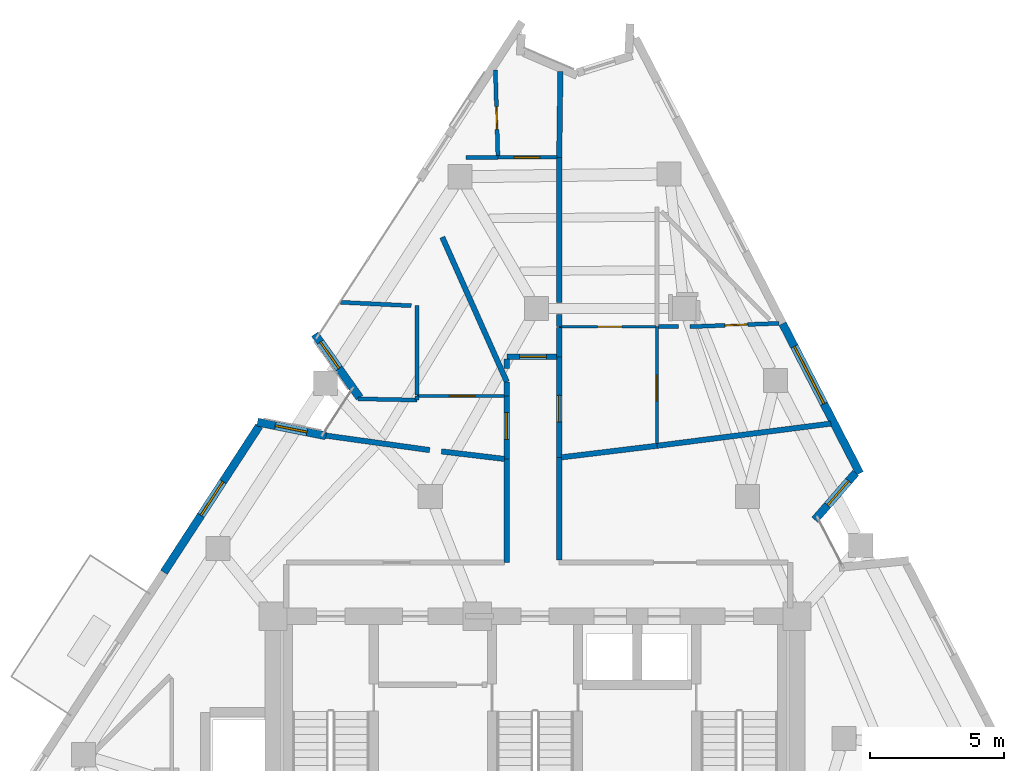
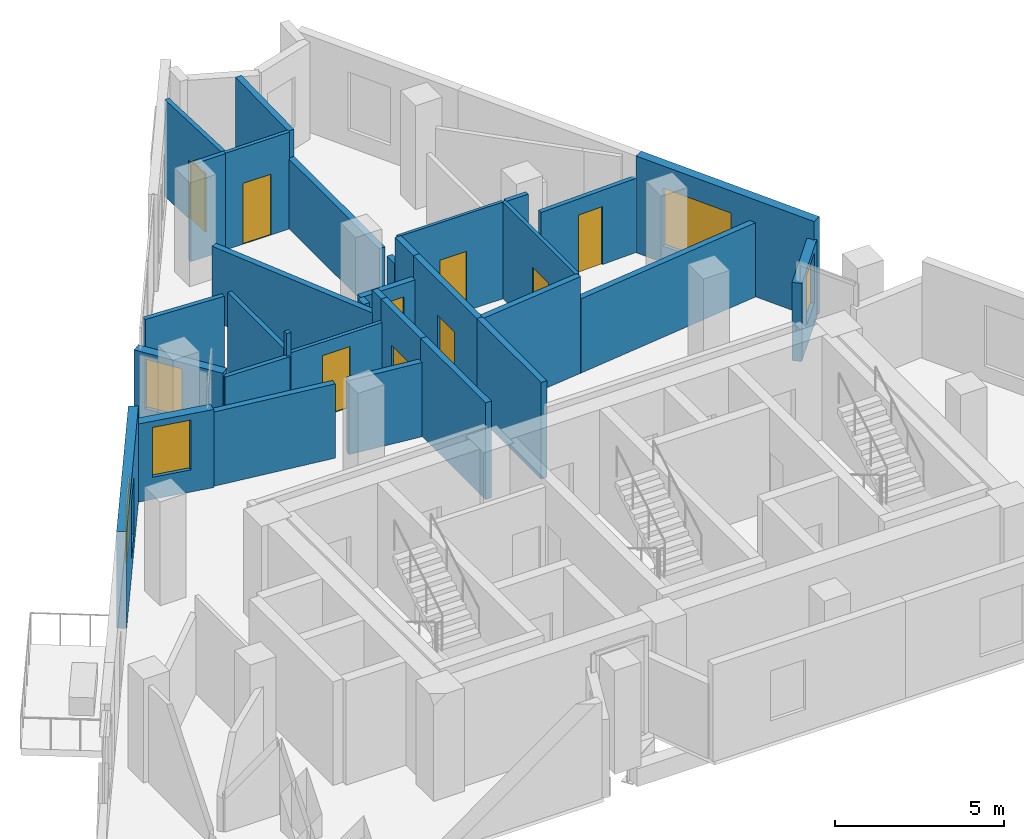
# One storey, part 7 of 11: 33 walls, 9 doors, 5 windows, 14 openings.
"""IFC4 building model written with IfcOpenShell, lengths in metres."""

from ifc_helpers import new_model, si_unit, direction, frame, frame_2d, origin, place, context, subcontext, project, spatial, rectangle, extrude, material, layer, layer_set, type_object, element, fill, save


model = new_model("IFC4")

# Units and contexts
model_context = context("Model", 3, precision=1e-05, world=origin(), true_north=direction((0.0, 1.0)))
body_context = subcontext(model_context, "Body", "Model", "MODEL_VIEW")
ifc_project = project(units=[si_unit("LENGTHUNIT", "METRE"), si_unit("AREAUNIT", "SQUARE_METRE"), si_unit("VOLUMEUNIT", "CUBIC_METRE"), si_unit("PLANEANGLEUNIT", "RADIAN"), si_unit("MASSUNIT", "GRAM", prefix="KILO")], contexts=[model_context])

# Site, building, storey
site_placement = place(None, origin())
site = spatial("IfcSite", under=ifc_project, at=site_placement, CompositionType="ELEMENT")
building_placement = place(site_placement, origin())
building = spatial("IfcBuilding", under=site, at=building_placement, Name="Almagre Mirador Tower", CompositionType="ELEMENT")
storey_placement = place(building_placement, frame((0.0, 0.0, 218.25)))
storey = spatial("IfcBuildingStorey", under=building, at=storey_placement, Name="L56", CompositionType="ELEMENT", Elevation=218.25)

# Wall, opening, window
ifc_material_1 = material(Name="Precast concrete C50/60", Category="concrete")
ifc_layer_1 = layer(ifc_material_1, 0.300048828125)
ifc_layer_set_1 = layer_set([ifc_layer_1], Name="Precast concrete C50/60")
wall_type_1 = type_object("IfcWallType", Name="WAL-EXT-300", PredefinedType="SOLIDWALL", material=ifc_layer_set_1)
wall_1_placement = place(storey_placement, frame((26.976806640625, 21.970703125, 0.0), z_axis=(0.0, 0.0, 1.0), x_axis=(0.980377387813, -0.197129849249, 0.0)))
wall_1 = element("IfcWall", 1, at=wall_1_placement, inside=storey, type_object=wall_type_1, Name="L56 expressed almagre precast frame wall 01", PredefinedType="SOLIDWALL", context=body_context, shape_type="SweptSolid", body=[
    extrude(rectangle(XDim=2.59326171875, YDim=0.300048828125, at=frame_2d((1.296630859375, 0.0))), origin(), (0.0, 0.0, 1.0), 2.824951171875),
])
opening_1_placement = place(wall_1_placement, frame((0.675048828125, 0.0, 0.800048828125)))
opening_1 = element("IfcOpeningElement", 2, at=opening_1_placement, cuts=wall_1, Name="Opening WN-04", PredefinedType="OPENING", context=body_context, shape_type="SweptSolid", body=[
    extrude(rectangle(XDim=1.199951171875, YDim=1.800048828125, at=frame_2d((0.60009765625, 0.89990234375))), frame((0.0, 0.159902, 0.0), z_axis=(0.0, -1.0, 0.0), x_axis=(1.0, 0.0, 0.0)), (0.0, 0.0, 1.0), 0.320049),
])
ifc_material_2 = material(Name="Dark solar-control laminated hurricane glass", Category="glass")
window_type_1 = type_object("IfcWindowType", Name="WIN-1200X1800", PartitioningType="SINGLE_PANEL", PredefinedType="WINDOW", material=ifc_material_2)
window_1_placement = place(opening_1_placement, origin())
window_1 = element("IfcWindow", 3, at=window_1_placement, inside=storey, type_object=window_type_1, Name="L56 recessed hurricane window L56-RST-E", OverallHeight=1.800048828125, OverallWidth=1.199951171875, PartitioningType="SINGLE_PANEL", PredefinedType="WINDOW", context=body_context, shape_type="SweptSolid", body=[
    extrude(rectangle(XDim=1.199951171875, YDim=1.800048828125, at=frame_2d((0.60009765625, 0.89990234375))), frame((0.0, 0.030029296875, 0.0), z_axis=(0.0, -1.0, 0.0), x_axis=(1.0, 0.0, 0.0)), (0.0, 0.0, 1.0), 0.06005859375),
])
fill(opening_1, window_1)

wall_2_placement = place(storey_placement, frame((30.77587890625, 22.88037109375, 0.0), z_axis=(0.0, 0.0, 1.0), x_axis=(-0.577262988454, 0.816558290731, 0.0)))
wall_2 = element("IfcWall", 4, at=wall_2_placement, inside=storey, type_object=wall_type_1, Name="L56 expressed almagre precast frame wall 02", PredefinedType="SOLIDWALL", context=body_context, shape_type="SweptSolid", body=[
    extrude(rectangle(XDim=2.892333984375, YDim=0.300048828125, at=frame_2d((1.4462890625, 0.0))), origin(), (0.0, 0.0, 1.0), 2.824951171875),
])
opening_2_placement = place(wall_2_placement, frame((1.334716796875, 0.0, 0.800048828125)))
opening_2 = element("IfcOpeningElement", 5, at=opening_2_placement, cuts=wall_2, Name="Opening WN-04", PredefinedType="OPENING", context=body_context, shape_type="SweptSolid", body=[
    extrude(rectangle(XDim=1.199951171875, YDim=1.800048828125, at=frame_2d((0.60009765625, 0.89990234375))), frame((0.0, 0.159902, 0.0), z_axis=(0.0, -1.0, 0.0), x_axis=(1.0, 0.0, 0.0)), (0.0, 0.0, 1.0), 0.320049),
])
window_2_placement = place(opening_2_placement, origin())
window_2 = element("IfcWindow", 6, at=window_2_placement, inside=storey, type_object=window_type_1, Name="L56 recessed hurricane window L56-UG-BT", OverallHeight=1.800048828125, OverallWidth=1.199951171875, PartitioningType="SINGLE_PANEL", PredefinedType="WINDOW", context=body_context, shape_type="SweptSolid", body=[
    extrude(rectangle(XDim=1.199951171875, YDim=1.800048828125, at=frame_2d((0.60009765625, 0.89990234375))), frame((0.0, 0.030029296875, 0.0), z_axis=(0.0, -1.0, 0.0), x_axis=(1.0, 0.0, 0.0)), (0.0, 0.0, 1.0), 0.06005859375),
])
fill(opening_2, window_2)

wall_3_placement = place(storey_placement, frame((46.512451171875, 25.630859375, 0.0), z_axis=(0.0, 0.0, 1.0), x_axis=(0.458306446078, -0.88879424024, 0.0)))
wall_3 = element("IfcWall", 7, at=wall_3_placement, inside=storey, type_object=wall_type_1, Name="L56 expressed almagre precast frame wall 10", PredefinedType="SOLIDWALL", context=body_context, shape_type="SweptSolid", body=[
    extrude(rectangle(XDim=6.26611328125, YDim=0.300048828125, at=frame_2d((3.133056640625, 0.0))), origin(), (0.0, 0.0, 1.0), 3.5),
])
opening_3_placement = place(wall_3_placement, frame((0.949951171875, 0.0, 0.60009765625)))
opening_3 = element("IfcOpeningElement", 8, at=opening_3_placement, cuts=wall_3, Name="Opening WN-02", PredefinedType="OPENING", context=body_context, shape_type="SweptSolid", body=[
    extrude(rectangle(XDim=2.39990234375, YDim=2.10009765625, at=frame_2d((1.199951171875, 1.050048828125))), frame((0.0, 0.159902, 0.0), z_axis=(0.0, -1.0, 0.0), x_axis=(1.0, 0.0, 0.0)), (0.0, 0.0, 1.0), 0.320049),
])
ifc_material_3 = material(Name="Dark solar-control laminated hurricane glass", Category="glass")
window_type_2 = type_object("IfcWindowType", Name="WIN-2400X2100", PartitioningType="TRIPLE_PANEL_VERTICAL", PredefinedType="WINDOW", material=ifc_material_3)
window_3_placement = place(opening_3_placement, origin())
window_3 = element("IfcWindow", 9, at=window_3_placement, inside=storey, type_object=window_type_2, Name="L56 recessed hurricane window L56-UH-KT", OverallHeight=2.10009765625, OverallWidth=2.39990234375, PartitioningType="SINGLE_PANEL", PredefinedType="WINDOW", context=body_context, shape_type="SweptSolid", body=[
    extrude(rectangle(XDim=2.39990234375, YDim=2.10009765625, at=frame_2d((1.199951171875, 1.050048828125))), frame((0.0, 0.030029296875, 0.0), z_axis=(0.0, -1.0, 0.0), x_axis=(1.0, 0.0, 0.0)), (0.0, 0.0, 1.0), 0.06005859375),
])
fill(opening_3, window_3)

wall_4_placement = place(storey_placement, frame((49.22802734375, 20.080322265625, 0.0), z_axis=(0.0, 0.0, 1.0), x_axis=(-0.656403307356, -0.754410165687, 0.0)))
wall_4 = element("IfcWall", 10, at=wall_4_placement, inside=storey, type_object=wall_type_1, Name="L56 expressed almagre precast frame wall 11", PredefinedType="SOLIDWALL", context=body_context, shape_type="SweptSolid", body=[
    extrude(rectangle(XDim=2.314208984375, YDim=0.300048828125, at=frame_2d((1.1572265625, 0.0))), origin(), (0.0, 0.0, 1.0), 2.824951171875),
])
opening_4_placement = place(wall_4_placement, frame((0.39501953125, 0.0, 0.800048828125)))
opening_4 = element("IfcOpeningElement", 11, at=opening_4_placement, cuts=wall_4, Name="Opening WN-04", PredefinedType="OPENING", context=body_context, shape_type="SweptSolid", body=[
    extrude(rectangle(XDim=1.199951171875, YDim=1.800048828125, at=frame_2d((0.60009765625, 0.89990234375))), frame((0.0, 0.159902, 0.0), z_axis=(0.0, -1.0, 0.0), x_axis=(1.0, 0.0, 0.0)), (0.0, 0.0, 1.0), 0.320049),
])
window_4_placement = place(opening_4_placement, origin())
window_4 = element("IfcWindow", 12, at=window_4_placement, inside=storey, type_object=window_type_1, Name="L56 recessed hurricane window L56-RST-F", OverallHeight=1.800048828125, OverallWidth=1.199951171875, PartitioningType="SINGLE_PANEL", PredefinedType="WINDOW", context=body_context, shape_type="SweptSolid", body=[
    extrude(rectangle(XDim=1.199951171875, YDim=1.800048828125, at=frame_2d((0.60009765625, 0.89990234375))), frame((0.0, 0.030029296875, 0.0), z_axis=(0.0, -1.0, 0.0), x_axis=(1.0, 0.0, 0.0)), (0.0, 0.0, 1.0), 0.06005859375),
])
fill(opening_4, window_4)

wall_5_placement = place(storey_placement, frame((23.49560546875, 16.385009765625, 0.0), z_axis=(0.0, 0.0, 1.0), x_axis=(0.545589643998, 0.838052468741, 0.0)))
wall_5 = element("IfcWall", 13, at=wall_5_placement, inside=storey, type_object=wall_type_1, Name="L56 expressed almagre precast frame wall 32", PredefinedType="SOLIDWALL", context=body_context, shape_type="SweptSolid", body=[
    extrude(rectangle(XDim=6.491943359375, YDim=0.300048828125, at=frame_2d((3.24609375, 0.0))), origin(), (0.0, 0.0, 1.0), 3.5),
])
opening_5_placement = place(wall_5_placement, frame((2.52490234375, 0.0, 0.60009765625)))
opening_5 = element("IfcOpeningElement", 14, at=opening_5_placement, cuts=wall_5, Name="Opening WN-03", PredefinedType="OPENING", context=body_context, shape_type="SweptSolid", body=[
    extrude(rectangle(XDim=1.5, YDim=2.10009765625, at=frame_2d((0.75, 1.050048828125))), frame((0.0, 0.159902, 0.0), z_axis=(0.0, -1.0, 0.0), x_axis=(1.0, 0.0, 0.0)), (0.0, 0.0, 1.0), 0.320049),
])
ifc_material_4 = material(Name="Dark solar-control laminated hurricane glass", Category="glass")
window_type_3 = type_object("IfcWindowType", Name="WIN-1500X2100", PartitioningType="DOUBLE_PANEL_VERTICAL", PredefinedType="WINDOW", material=ifc_material_4)
window_5_placement = place(opening_5_placement, origin())
window_5 = element("IfcWindow", 15, at=window_5_placement, inside=storey, type_object=window_type_3, Name="L56 recessed hurricane window L56-RST-E", OverallHeight=2.10009765625, OverallWidth=1.5, PartitioningType="SINGLE_PANEL", PredefinedType="WINDOW", context=body_context, shape_type="SweptSolid", body=[
    extrude(rectangle(XDim=1.5, YDim=2.10009765625, at=frame_2d((0.75, 1.050048828125))), frame((0.0, 0.030029296875, 0.0), z_axis=(0.0, -1.0, 0.0), x_axis=(1.0, 0.0, 0.0)), (0.0, 0.0, 1.0), 0.06005859375),
])
fill(opening_5, window_5)

# Wall, opening, door
ifc_material_5 = material(Name="Gypsum acoustic stud partition", Category="other")
ifc_layer_2 = layer(ifc_material_5, 0.10009765625)
ifc_layer_set_2 = layer_set([ifc_layer_2], Name="Gypsum acoustic stud partition")
wall_type_2 = type_object("IfcWallType", Name="WAL-PRT-100-CLS", PredefinedType="PARTITIONING", material=ifc_layer_set_2)
wall_6_placement = place(storey_placement, frame((41.79248046875, 25.52001953125, 0.0), z_axis=(0.0, 0.0, 1.0), x_axis=(-1.0, 0.0, 0.0)))
wall_6 = element("IfcWall", 16, at=wall_6_placement, inside=storey, type_object=wall_type_2, Name="L56 interior partition 044", PredefinedType="PARTITIONING", context=body_context, shape_type="SweptSolid", body=[
    extrude(rectangle(XDim=3.592529296875, YDim=0.10009765625, at=frame_2d((1.79638671875, 0.0))), origin(), (0.0, 0.0, 1.0), 3.5),
])
opening_6_placement = place(wall_6_placement, frame((1.263916015625, 0.0, 0.0)))
opening_6 = element("IfcOpeningElement", 17, at=opening_6_placement, cuts=wall_6, Name="Opening UD-02", PredefinedType="OPENING", context=body_context, shape_type="SweptSolid", body=[
    extrude(rectangle(XDim=0.89990234375, YDim=2.14990234375, at=frame_2d((0.449951171875, 1.074951171875))), frame((0.0, 0.060049, 0.0), z_axis=(0.0, -1.0, 0.0), x_axis=(1.0, 0.0, 0.0)), (0.0, 0.0, 1.0), 0.120098),
])
ifc_material_6 = material(Name="Solid American walnut timber", Category="wood")
door_type_1 = type_object("IfcDoorType", Name="DOR-UNR-900X2150", OperationType="NOTDEFINED", PredefinedType="DOOR", material=ifc_material_6)
door_1_placement = place(opening_6_placement, origin())
door_1 = element("IfcDoor", 18, at=door_1_placement, inside=storey, type_object=door_type_1, Name="DR-1741 L56 interior door L56-UH-LV to L56-UH-B1", OperationType="SINGLE_SWING_RIGHT", OverallHeight=2.14990234375, OverallWidth=0.89990234375, PredefinedType="DOOR", context=body_context, shape_type="SweptSolid", body=[
    extrude(rectangle(XDim=0.89990234375, YDim=2.14990234375, at=frame_2d((0.449951171875, 1.074951171875))), frame((0.0, 0.02490234375, 0.0), z_axis=(0.0, -1.0, 0.0), x_axis=(1.0, 0.0, 0.0)), (0.0, 0.0, 1.0), 0.050048828125),
])
fill(opening_6, door_1)

ifc_material_7 = material(Name="Gypsum acoustic stud partition", Category="other")
ifc_layer_3 = layer(ifc_material_7, 0.125)
ifc_layer_set_3 = layer_set([ifc_layer_3], Name="Gypsum acoustic stud partition")
wall_type_3 = type_object("IfcWallType", Name="WAL-PRT-125-UTL", PredefinedType="PARTITIONING", material=ifc_layer_set_3)
wall_7_placement = place(storey_placement, frame((36.1650390625, 22.93994140625, 0.0), z_axis=(0.0, 0.0, 1.0), x_axis=(-1.0, 0.0, 0.0)))
wall_7 = element("IfcWall", 19, at=wall_7_placement, inside=storey, type_object=wall_type_3, Name="L56 interior partition 038", PredefinedType="PARTITIONING", context=body_context, shape_type="SweptSolid", body=[
    extrude(rectangle(XDim=3.255126953125, YDim=0.125, at=frame_2d((1.62744140625, 0.0))), origin(), (0.0, 0.0, 1.0), 2.68505859375),
])
opening_7_placement = place(wall_7_placement, frame((1.110107421875, 0.0, 0.0)))
opening_7 = element("IfcOpeningElement", 20, at=opening_7_placement, cuts=wall_7, Name="Opening UD-01", PredefinedType="OPENING", context=body_context, shape_type="SweptSolid", body=[
    extrude(rectangle(XDim=0.949951171875, YDim=2.199951171875, at=frame_2d((0.47509765625, 1.10009765625))), frame((0.0, 0.0725, 0.0), z_axis=(0.0, -1.0, 0.0), x_axis=(1.0, 0.0, 0.0)), (0.0, 0.0, 1.0), 0.145),
])
ifc_material_8 = material(Name="Solid American walnut timber", Category="wood")
door_type_2 = type_object("IfcDoorType", Name="DOR-UNR-950X2200", OperationType="NOTDEFINED", PredefinedType="DOOR", material=ifc_material_8)
door_2_placement = place(opening_7_placement, origin())
door_2 = element("IfcDoor", 21, at=door_2_placement, inside=storey, type_object=door_type_2, Name="DR-1737 L56 interior door L56-UG-ST to L56-UG-KT", OperationType="SINGLE_SWING_LEFT", OverallHeight=2.199951171875, OverallWidth=0.949951171875, PredefinedType="DOOR", context=body_context, shape_type="SweptSolid", body=[
    extrude(rectangle(XDim=0.949951171875, YDim=2.199951171875, at=frame_2d((0.47509765625, 1.10009765625))), frame((0.0, 0.02490234375, 0.0), z_axis=(0.0, -1.0, 0.0), x_axis=(1.0, 0.0, 0.0)), (0.0, 0.0, 1.0), 0.050048828125),
])
fill(opening_7, door_2)

wall_8_placement = place(storey_placement, frame((41.840087890625, 21.175048828125, 0.0), z_axis=(0.0, 0.0, 1.0), x_axis=(0.0, 1.0, 0.0)))
wall_8 = element("IfcWall", 22, at=wall_8_placement, inside=storey, type_object=wall_type_3, Name="L56 interior partition 043", PredefinedType="PARTITIONING", context=body_context, shape_type="SweptSolid", body=[
    extrude(rectangle(XDim=4.344970703125, YDim=0.125, at=frame_2d((2.17236328125, 0.0))), origin(), (0.0, 0.0, 1.0), 3.5),
])
opening_8_placement = place(wall_8_placement, frame((1.595703125, 0.0, 0.0)))
opening_8 = element("IfcOpeningElement", 23, at=opening_8_placement, cuts=wall_8, Name="Opening UD-01", PredefinedType="OPENING", context=body_context, shape_type="SweptSolid", body=[
    extrude(rectangle(XDim=0.949951171875, YDim=2.199951171875, at=frame_2d((0.47509765625, 1.10009765625))), frame((0.0, 0.0725, 0.0), z_axis=(0.0, -1.0, 0.0), x_axis=(1.0, 0.0, 0.0)), (0.0, 0.0, 1.0), 0.145),
])
door_3_placement = place(opening_8_placement, origin())
door_3 = element("IfcDoor", 24, at=door_3_placement, inside=storey, type_object=door_type_2, Name="DR-1739 L56 interior door L56-UH-LV to L56-UH-KT", OperationType="SINGLE_SWING_RIGHT", OverallHeight=2.199951171875, OverallWidth=0.949951171875, PredefinedType="DOOR", context=body_context, shape_type="SweptSolid", body=[
    extrude(rectangle(XDim=0.949951171875, YDim=2.199951171875, at=frame_2d((0.47509765625, 1.10009765625))), frame((0.0, 0.02490234375, 0.0), z_axis=(0.0, -1.0, 0.0), x_axis=(1.0, 0.0, 0.0)), (0.0, 0.0, 1.0), 0.050048828125),
])
fill(opening_8, door_3)

wall_9_placement = place(storey_placement, frame((38.114990234375, 31.820068359375, 0.0), z_axis=(0.0, 0.0, 1.0), x_axis=(-1.0, 0.0, 0.0)))
wall_9 = element("IfcWall", 25, at=wall_9_placement, inside=storey, type_object=wall_type_3, Name="L56 interior partition 054", PredefinedType="PARTITIONING", context=body_context, shape_type="SweptSolid", body=[
    extrude(rectangle(XDim=2.195068359375, YDim=0.125, at=frame_2d((1.09765625, 0.0))), origin(), (0.0, 0.0, 1.0), 3.5),
])
opening_9_placement = place(wall_9_placement, frame((0.63818359375, 0.0, 0.0)))
opening_9 = element("IfcOpeningElement", 26, at=opening_9_placement, cuts=wall_9, Name="Opening UD-01", PredefinedType="OPENING", context=body_context, shape_type="SweptSolid", body=[
    extrude(rectangle(XDim=0.949951171875, YDim=2.199951171875, at=frame_2d((0.47509765625, 1.10009765625))), frame((0.0, 0.0725, 0.0), z_axis=(0.0, -1.0, 0.0), x_axis=(1.0, 0.0, 0.0)), (0.0, 0.0, 1.0), 0.145),
])
door_4_placement = place(opening_9_placement, origin())
door_4 = element("IfcDoor", 27, at=door_4_placement, inside=storey, type_object=door_type_2, Name="DR-1743 L56 interior door L56-UJ-ST to L56-UJ-KT", OperationType="SINGLE_SWING_RIGHT", OverallHeight=2.199951171875, OverallWidth=0.949951171875, PredefinedType="DOOR", context=body_context, shape_type="SweptSolid", body=[
    extrude(rectangle(XDim=0.949951171875, YDim=2.199951171875, at=frame_2d((0.47509765625, 1.10009765625))), frame((0.0, 0.02490234375, 0.0), z_axis=(0.0, -1.0, 0.0), x_axis=(1.0, 0.0, 0.0)), (0.0, 0.0, 1.0), 0.050048828125),
])
fill(opening_9, door_4)

# Walls
ifc_material_9 = material(Name="Gypsum acoustic stud partition", Category="other")
ifc_layer_4 = layer(ifc_material_9, 0.14990234375)
ifc_layer_set_4 = layer_set([ifc_layer_4], Name="Gypsum acoustic stud partition")
wall_type_4 = type_object("IfcWallType", Name="WAL-PRT-150-STD", PredefinedType="PARTITIONING", material=ifc_layer_set_4)
wall_10_placement = place(storey_placement, frame((32.909912109375, 22.93994140625, 0.0), z_axis=(0.0, 0.0, 1.0), x_axis=(0.0, -1.0, 0.0)))
element("IfcWall", 28, at=wall_10_placement, inside=storey, type_object=wall_type_4, Name="L56 interior partition 039", PredefinedType="PARTITIONING", context=body_context, shape_type="SweptSolid", body=[
    extrude(rectangle(XDim=0.14990234375, YDim=0.14990234375, at=frame_2d((0.074951171875, 0.0))), origin(), (0.0, 0.0, 1.0), 3.5),
])
wall_11_placement = place(storey_placement, frame((32.909912109375, 22.7900390625, 0.0), z_axis=(0.0, 0.0, 1.0), x_axis=(-0.999780828689, 0.020935486277, 0.0)))
element("IfcWall", 29, at=wall_11_placement, inside=storey, type_object=wall_type_4, Name="L56 interior partition 040", PredefinedType="PARTITIONING", context=body_context, shape_type="SweptSolid", body=[
    extrude(rectangle(XDim=2.1923828125, YDim=0.14990234375, at=frame_2d((1.09619140625, 0.0))), origin(), (0.0, 0.0, 1.0), 2.68505859375),
])
wall_12_placement = place(storey_placement, frame((32.909912109375, 26.300048828125, 0.0), z_axis=(0.0, 0.0, 1.0), x_axis=(0.0, -1.0, 0.0)))
element("IfcWall", 30, at=wall_12_placement, inside=storey, type_object=wall_type_4, Name="L56 interior partition 041", PredefinedType="PARTITIONING", context=body_context, shape_type="SweptSolid", body=[
    extrude(rectangle(XDim=3.3125, YDim=0.14990234375, at=frame_2d((1.65625, 0.0))), origin(), (0.0, 0.0, 1.0), 2.862060546875),
])
wall_13_placement = place(storey_placement, frame((41.887451171875, 25.52001953125, 0.0), z_axis=(0.0, 0.0, 1.0), x_axis=(1.0, 0.0, 0.0)))
element("IfcWall", 31, at=wall_13_placement, inside=storey, type_object=wall_type_4, Name="L56 interior partition 046", PredefinedType="PARTITIONING", context=body_context, shape_type="SweptSolid", body=[
    extrude(rectangle(XDim=0.742431640625, YDim=0.14990234375, at=frame_2d((0.37109375, 0.0))), origin(), (0.0, 0.0, 1.0), 3.5),
])

# Wall, opening, door
wall_14_placement = place(storey_placement, frame((43.070068359375, 25.52001953125, 0.0), z_axis=(0.0, 0.0, 1.0), x_axis=(0.999288552853, 0.037714561334, 0.0)))
wall_14 = element("IfcWall", 32, at=wall_14_placement, inside=storey, type_object=wall_type_4, Name="L56 interior partition 047", PredefinedType="PARTITIONING", context=body_context, shape_type="SweptSolid", body=[
    extrude(rectangle(XDim=3.314453125, YDim=0.14990234375, at=frame_2d((1.6572265625, 0.0))), origin(), (0.0, 0.0, 1.0), 2.68505859375),
])
opening_10_placement = place(wall_14_placement, frame((1.29638671875, 0.0, 0.0)))
opening_10 = element("IfcOpeningElement", 33, at=opening_10_placement, cuts=wall_14, Name="Opening UD-04", PredefinedType="OPENING", context=body_context, shape_type="SweptSolid", body=[
    extrude(rectangle(XDim=0.85009765625, YDim=2.10009765625, at=frame_2d((0.425048828125, 1.050048828125))), frame((0.0, 0.084951, 0.0), z_axis=(0.0, -1.0, 0.0), x_axis=(1.0, 0.0, 0.0)), (0.0, 0.0, 1.0), 0.169902),
])
ifc_material_10 = material(Name="Moisture-resistant oak timber", Category="wood")
door_type_3 = type_object("IfcDoorType", Name="DOR-UNR-850X2100", OperationType="NOTDEFINED", PredefinedType="DOOR", material=ifc_material_10)
door_5_placement = place(opening_10_placement, origin())
door_5 = element("IfcDoor", 34, at=door_5_placement, inside=storey, type_object=door_type_3, Name="DR-1740 L56 interior door L56-UH-BT to L56-UH-KT", OperationType="SINGLE_SWING_LEFT", OverallHeight=2.10009765625, OverallWidth=0.85009765625, PredefinedType="DOOR", context=body_context, shape_type="SweptSolid", body=[
    extrude(rectangle(XDim=0.85009765625, YDim=2.10009765625, at=frame_2d((0.425048828125, 1.050048828125))), frame((0.0, 0.02490234375, 0.0), z_axis=(0.0, -1.0, 0.0), x_axis=(1.0, 0.0, 0.0)), (0.0, 0.0, 1.0), 0.050048828125),
])
fill(opening_10, door_5)

# Wall
wall_15_placement = place(storey_placement, frame((35.919921875, 31.820068359375, 0.0), z_axis=(0.0, 0.0, 1.0), x_axis=(-1.0, 0.0, 0.0)))
element("IfcWall", 35, at=wall_15_placement, inside=storey, type_object=wall_type_4, Name="L56 interior partition 055", PredefinedType="PARTITIONING", context=body_context, shape_type="SweptSolid", body=[
    extrude(rectangle(XDim=1.18994140625, YDim=0.14990234375, at=frame_2d((0.594970703125, 0.0))), origin(), (0.0, 0.0, 1.0), 3.5),
])

# Wall, opening, door
wall_16_placement = place(storey_placement, frame((35.824951171875, 35.06591796875, 0.0), z_axis=(0.0, 0.0, 1.0), x_axis=(0.029374388568, -0.999568479543, 0.0)))
wall_16 = element("IfcWall", 36, at=wall_16_placement, inside=storey, type_object=wall_type_4, Name="L56 interior partition 056", PredefinedType="PARTITIONING", context=body_context, shape_type="SweptSolid", body=[
    extrude(rectangle(XDim=3.199951171875, YDim=0.14990234375, at=frame_2d((1.60009765625, 0.0))), origin(), (0.0, 0.0, 1.0), 3.5),
])
opening_11_placement = place(wall_16_placement, frame((1.35546875, 0.0, 0.0)))
opening_11 = element("IfcOpeningElement", 37, at=opening_11_placement, cuts=wall_16, Name="Opening UD-04", PredefinedType="OPENING", context=body_context, shape_type="SweptSolid", body=[
    extrude(rectangle(XDim=0.85009765625, YDim=2.10009765625, at=frame_2d((0.425048828125, 1.050048828125))), frame((0.0, 0.084951, 0.0), z_axis=(0.0, -1.0, 0.0), x_axis=(1.0, 0.0, 0.0)), (0.0, 0.0, 1.0), 0.169902),
])
door_6_placement = place(opening_11_placement, origin())
door_6 = element("IfcDoor", 38, at=door_6_placement, inside=storey, type_object=door_type_3, Name="DR-1744 L56 interior door L56-UJ-KT to L56-UJ-BT", OperationType="SINGLE_SWING_LEFT", OverallHeight=2.10009765625, OverallWidth=0.85009765625, PredefinedType="DOOR", context=body_context, shape_type="SweptSolid", body=[
    extrude(rectangle(XDim=0.85009765625, YDim=2.10009765625, at=frame_2d((0.425048828125, 1.050048828125))), frame((0.0, 0.02490234375, 0.0), z_axis=(0.0, -1.0, 0.0), x_axis=(1.0, 0.0, 0.0)), (0.0, 0.0, 1.0), 0.050048828125),
])
fill(opening_11, door_6)

# Walls
wall_17_placement = place(storey_placement, frame((32.695068359375, 26.300048828125, 0.0), z_axis=(0.0, 0.0, 1.0), x_axis=(-0.998820913, 0.048546717226, 0.0)))
element("IfcWall", 39, at=wall_17_placement, inside=storey, type_object=wall_type_4, Name="L56 interior partition 060", PredefinedType="PARTITIONING", context=body_context, shape_type="SweptSolid", body=[
    extrude(rectangle(XDim=2.63525390625, YDim=0.14990234375, at=frame_2d((1.317626953125, 0.0))), origin(), (0.0, 0.0, 1.0), 2.820068359375),
])
ifc_material_11 = material(Name="Gypsum acoustic stud partition", Category="other")
ifc_layer_5 = layer(ifc_material_11, 0.199951171875)
ifc_layer_set_5 = layer_set([ifc_layer_5], Name="Gypsum acoustic stud partition")
wall_type_5 = type_object("IfcWallType", Name="WAL-PRT-200-EI60", PredefinedType="PARTITIONING", material=ifc_layer_set_5)
wall_18_placement = place(storey_placement, frame((36.25, 20.590087890625, 0.0), z_axis=(0.0, 0.0, 1.0), x_axis=(0.0, -1.0, 0.0)))
element("IfcWall", 40, at=wall_18_placement, inside=storey, type_object=wall_type_5, Name="L56 interior partition 001", PredefinedType="PARTITIONING", context=body_context, shape_type="SweptSolid", body=[
    extrude(rectangle(XDim=3.840087890625, YDim=0.199951171875, at=frame_2d((1.919921875, 0.0))), origin(), (0.0, 0.0, 1.0), 3.5),
])
wall_19_placement = place(storey_placement, frame((38.199951171875, 16.8349609375, 0.0), z_axis=(0.0, 0.0, 1.0), x_axis=(0.0, 1.0, 0.0)))
element("IfcWall", 41, at=wall_19_placement, inside=storey, type_object=wall_type_5, Name="L56 interior partition 006", PredefinedType="PARTITIONING", context=body_context, shape_type="SweptSolid", body=[
    extrude(rectangle(XDim=3.81494140625, YDim=0.199951171875, at=frame_2d((1.907470703125, 0.0))), origin(), (0.0, 0.0, 1.0), 3.5),
])

# Wall, opening, door
wall_20_placement = place(storey_placement, frame((36.25, 22.93994140625, 0.0), z_axis=(0.0, 0.0, 1.0), x_axis=(0.0, -1.0, 0.0)))
wall_20 = element("IfcWall", 42, at=wall_20_placement, inside=storey, type_object=wall_type_5, Name="L56 interior partition 007", PredefinedType="PARTITIONING", context=body_context, shape_type="SweptSolid", body=[
    extrude(rectangle(XDim=2.349853515625, YDim=0.199951171875, at=frame_2d((1.1748046875, 0.0))), origin(), (0.0, 0.0, 1.0), 3.5),
])
opening_12_placement = place(wall_20_placement, frame((0.615478515625, 0.0, 0.0)))
opening_12 = element("IfcOpeningElement", 43, at=opening_12_placement, cuts=wall_20, Name="Opening ID-01", PredefinedType="OPENING", context=body_context, shape_type="SweptSolid", body=[
    extrude(rectangle(XDim=1.0, YDim=2.199951171875, at=frame_2d((0.5, 1.10009765625))), frame((0.0, 0.110098, 0.0), z_axis=(0.0, -1.0, 0.0), x_axis=(1.0, 0.0, 0.0)), (0.0, 0.0, 1.0), 0.219951),
])
ifc_material_12 = material(Name="Fire-rated walnut timber", Category="wood")
door_type_4 = type_object("IfcDoorType", Name="DOR-FD60-1000X2200", OperationType="NOTDEFINED", PredefinedType="DOOR", material=ifc_material_12)
door_7_placement = place(opening_12_placement, origin())
door_7 = element("IfcDoor", 44, at=door_7_placement, inside=storey, type_object=door_type_4, Name="DR-1736 L56 interior door L56-RCOR to L56-UG-ST", OperationType="SINGLE_SWING_RIGHT", OverallHeight=2.199951171875, OverallWidth=1.0, PredefinedType="DOOR", context=body_context, shape_type="SweptSolid", body=[
    extrude(rectangle(XDim=1.0, YDim=2.199951171875, at=frame_2d((0.5, 1.10009765625))), frame((0.0, 0.02490234375, 0.0), z_axis=(0.0, -1.0, 0.0), x_axis=(1.0, 0.0, 0.0)), (0.0, 0.0, 1.0), 0.050048828125),
])
fill(opening_12, door_7)

# Wall
wall_21_placement = place(storey_placement, frame((36.25, 23.469970703125, 0.0), z_axis=(0.0, 0.0, 1.0), x_axis=(0.0, -1.0, 0.0)))
element("IfcWall", 45, at=wall_21_placement, inside=storey, type_object=wall_type_5, Name="L56 interior partition 008", PredefinedType="PARTITIONING", context=body_context, shape_type="SweptSolid", body=[
    extrude(rectangle(XDim=0.530029296875, YDim=0.199951171875, at=frame_2d((0.26513671875, 0.0))), origin(), (0.0, 0.0, 1.0), 3.5),
])

# Wall, opening, door
wall_22_placement = place(storey_placement, frame((38.199951171875, 20.64990234375, 0.0), z_axis=(0.0, 0.0, 1.0), x_axis=(0.0, 1.0, 0.0)))
wall_22 = element("IfcWall", 46, at=wall_22_placement, inside=storey, type_object=wall_type_5, Name="L56 interior partition 009", PredefinedType="PARTITIONING", context=body_context, shape_type="SweptSolid", body=[
    extrude(rectangle(XDim=3.75, YDim=0.199951171875, at=frame_2d((1.875, 0.0))), origin(), (0.0, 0.0, 1.0), 3.5),
])
opening_13_placement = place(wall_22_placement, frame((1.316162109375, 0.0, 0.0)))
opening_13 = element("IfcOpeningElement", 47, at=opening_13_placement, cuts=wall_22, Name="Opening ID-01", PredefinedType="OPENING", context=body_context, shape_type="SweptSolid", body=[
    extrude(rectangle(XDim=1.0, YDim=2.199951171875, at=frame_2d((0.5, 1.10009765625))), frame((0.0, 0.110098, 0.0), z_axis=(0.0, -1.0, 0.0), x_axis=(1.0, 0.0, 0.0)), (0.0, 0.0, 1.0), 0.219951),
])
door_8_placement = place(opening_13_placement, origin())
door_8 = element("IfcDoor", 48, at=door_8_placement, inside=storey, type_object=door_type_4, Name="DR-1738 L56 interior door L56-RCOR to L56-UH-LV", OperationType="SINGLE_SWING_LEFT", OverallHeight=2.199951171875, OverallWidth=1.0, PredefinedType="DOOR", context=body_context, shape_type="SweptSolid", body=[
    extrude(rectangle(XDim=1.0, YDim=2.199951171875, at=frame_2d((0.5, 1.10009765625))), frame((0.0, 0.02490234375, 0.0), z_axis=(0.0, -1.0, 0.0), x_axis=(1.0, 0.0, 0.0)), (0.0, 0.0, 1.0), 0.050048828125),
])
fill(opening_13, door_8)

wall_23_placement = place(storey_placement, frame((38.114990234375, 24.39990234375, 0.0), z_axis=(0.0, 0.0, 1.0), x_axis=(-1.0, 0.0, 0.0)))
wall_23 = element("IfcWall", 49, at=wall_23_placement, inside=storey, type_object=wall_type_5, Name="L56 interior partition 010", PredefinedType="PARTITIONING", context=body_context, shape_type="SweptSolid", body=[
    extrude(rectangle(XDim=1.864990234375, YDim=0.199951171875, at=frame_2d((0.9326171875, 0.0))), origin(), (0.0, 0.0, 1.0), 2.68505859375),
])
opening_14_placement = place(wall_23_placement, frame((0.389892578125, 0.0, 0.0)))
opening_14 = element("IfcOpeningElement", 50, at=opening_14_placement, cuts=wall_23, Name="Opening ID-01", PredefinedType="OPENING", context=body_context, shape_type="SweptSolid", body=[
    extrude(rectangle(XDim=1.0, YDim=2.199951171875, at=frame_2d((0.5, 1.10009765625))), frame((0.0, 0.110098, 0.0), z_axis=(0.0, -1.0, 0.0), x_axis=(1.0, 0.0, 0.0)), (0.0, 0.0, 1.0), 0.219951),
])
door_9_placement = place(opening_14_placement, origin())
door_9 = element("IfcDoor", 51, at=door_9_placement, inside=storey, type_object=door_type_4, Name="DR-1742 L56 interior door L56-RCOR to L56-UJ-ST", OperationType="SINGLE_SWING_LEFT", OverallHeight=2.199951171875, OverallWidth=1.0, PredefinedType="DOOR", context=body_context, shape_type="SweptSolid", body=[
    extrude(rectangle(XDim=1.0, YDim=2.199951171875, at=frame_2d((0.5, 1.10009765625))), frame((0.0, 0.02490234375, 0.0), z_axis=(0.0, -1.0, 0.0), x_axis=(1.0, 0.0, 0.0)), (0.0, 0.0, 1.0), 0.050048828125),
])
fill(opening_14, door_9)

# Walls
wall_24_placement = place(storey_placement, frame((36.25, 24.31494140625, 0.0), z_axis=(0.0, 0.0, 1.0), x_axis=(0.0, -1.0, 0.0)))
element("IfcWall", 52, at=wall_24_placement, inside=storey, type_object=wall_type_5, Name="L56 interior partition 011", PredefinedType="PARTITIONING", context=body_context, shape_type="SweptSolid", body=[
    extrude(rectangle(XDim=0.35400390625, YDim=0.199951171875, at=frame_2d((0.177001953125, 0.0))), origin(), (0.0, 0.0, 1.0), 2.68505859375),
])
wall_25_placement = place(storey_placement, frame((36.16552734375, 20.60009765625, 0.0), z_axis=(0.0, 0.0, 1.0), x_axis=(-0.992960225827, 0.118448258436, 0.0)))
element("IfcWall", 53, at=wall_25_placement, inside=storey, type_object=wall_type_5, Name="L56 interior partition 031", PredefinedType="PARTITIONING", context=body_context, shape_type="SweptSolid", body=[
    extrude(rectangle(XDim=2.362060546875, YDim=0.199951171875, at=frame_2d((1.18115234375, 0.0))), origin(), (0.0, 0.0, 1.0), 2.68505859375),
])
wall_26_placement = place(storey_placement, frame((41.840087890625, 21.090087890625, 0.0), z_axis=(0.0, 0.0, 1.0), x_axis=(-0.99276902526, -0.120040253604, 0.0)))
element("IfcWall", 54, at=wall_26_placement, inside=storey, type_object=wall_type_5, Name="L56 interior partition 036", PredefinedType="PARTITIONING", context=body_context, shape_type="SweptSolid", body=[
    extrude(rectangle(XDim=3.58154296875, YDim=0.199951171875, at=frame_2d((1.790771484375, 0.0))), origin(), (0.0, 0.0, 1.0), 3.5),
])
wall_27_placement = place(storey_placement, frame((48.30810546875, 21.9150390625, 0.0), z_axis=(0.0, 0.0, 1.0), x_axis=(-0.991964283105, -0.126518224158, 0.0)))
element("IfcWall", 55, at=wall_27_placement, inside=storey, type_object=wall_type_5, Name="L56 interior partition 037", PredefinedType="PARTITIONING", context=body_context, shape_type="SweptSolid", body=[
    extrude(rectangle(XDim=6.5205078125, YDim=0.199951171875, at=frame_2d((3.26025390625, 0.0))), origin(), (0.0, 0.0, 1.0), 2.68505859375),
])
wall_28_placement = place(storey_placement, frame((36.25, 23.469970703125, 0.0), z_axis=(0.0, 0.0, 1.0), x_axis=(-0.40737623058, 0.913260426581, 0.0)))
element("IfcWall", 56, at=wall_28_placement, inside=storey, type_object=wall_type_5, Name="L56 interior partition 042", PredefinedType="PARTITIONING", context=body_context, shape_type="SweptSolid", body=[
    extrude(rectangle(XDim=5.89111328125, YDim=0.199951171875, at=frame_2d((2.945556640625, 0.0))), origin(), (0.0, 0.0, 1.0), 2.68505859375),
])
wall_29_placement = place(storey_placement, frame((38.199951171875, 25.485107421875, 0.0), z_axis=(0.0, 0.0, 1.0), x_axis=(0.0, -1.0, 0.0)))
element("IfcWall", 57, at=wall_29_placement, inside=storey, type_object=wall_type_5, Name="L56 interior partition 045", PredefinedType="PARTITIONING", context=body_context, shape_type="SweptSolid", body=[
    extrude(rectangle(XDim=1.085205078125, YDim=0.199951171875, at=frame_2d((0.54248046875, 0.0))), origin(), (0.0, 0.0, 1.0), 3.5),
])
wall_30_placement = place(storey_placement, frame((38.199951171875, 25.97998046875, 0.0), z_axis=(0.0, 0.0, 1.0), x_axis=(0.0, -1.0, 0.0)))
element("IfcWall", 58, at=wall_30_placement, inside=storey, type_object=wall_type_5, Name="L56 interior partition 050", PredefinedType="PARTITIONING", context=body_context, shape_type="SweptSolid", body=[
    extrude(rectangle(XDim=0.4599609375, YDim=0.199951171875, at=frame_2d((0.22998046875, 0.0))), origin(), (0.0, 0.0, 1.0), 2.52001953125),
])
wall_31_placement = place(storey_placement, frame((38.199951171875, 31.820068359375, 0.0), z_axis=(0.0, 0.0, 1.0), x_axis=(0.0, -1.0, 0.0)))
element("IfcWall", 59, at=wall_31_placement, inside=storey, type_object=wall_type_5, Name="L56 interior partition 051", PredefinedType="PARTITIONING", context=body_context, shape_type="SweptSolid", body=[
    extrude(rectangle(XDim=5.400146484375, YDim=0.199951171875, at=frame_2d((2.7001953125, 0.0))), origin(), (0.0, 0.0, 1.0), 2.52001953125),
])
wall_32_placement = place(storey_placement, frame((33.3798828125, 20.929931640625, 0.0), z_axis=(0.0, 0.0, 1.0), x_axis=(-0.990417656007, 0.138104549781, 0.0)))
element("IfcWall", 60, at=wall_32_placement, inside=storey, type_object=wall_type_5, Name="L56 interior partition 058", PredefinedType="PARTITIONING", context=body_context, shape_type="SweptSolid", body=[
    extrude(rectangle(XDim=3.896240234375, YDim=0.199951171875, at=frame_2d((1.9482421875, 0.0))), origin(), (0.0, 0.0, 1.0), 2.68505859375),
])
wall_33_placement = place(storey_placement, frame((38.2451171875, 35.008056640625, 0.0), z_axis=(0.0, 0.0, 1.0), x_axis=(-0.014166138476, -0.999899655226, 0.0)))
element("IfcWall", 61, at=wall_33_placement, inside=storey, type_object=wall_type_5, Name="L56 interior partition 059", PredefinedType="PARTITIONING", context=body_context, shape_type="SweptSolid", body=[
    extrude(rectangle(XDim=3.188232421875, YDim=0.199951171875, at=frame_2d((1.59423828125, 0.0))), origin(), (0.0, 0.0, 1.0), 3.5),
])

save(model, "model.ifc")
